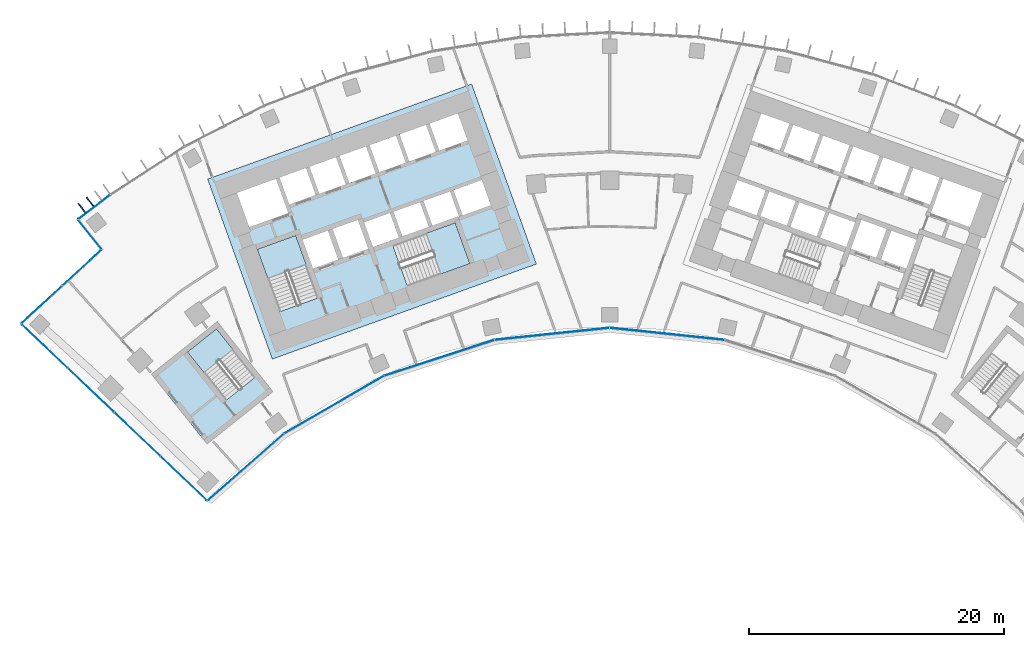
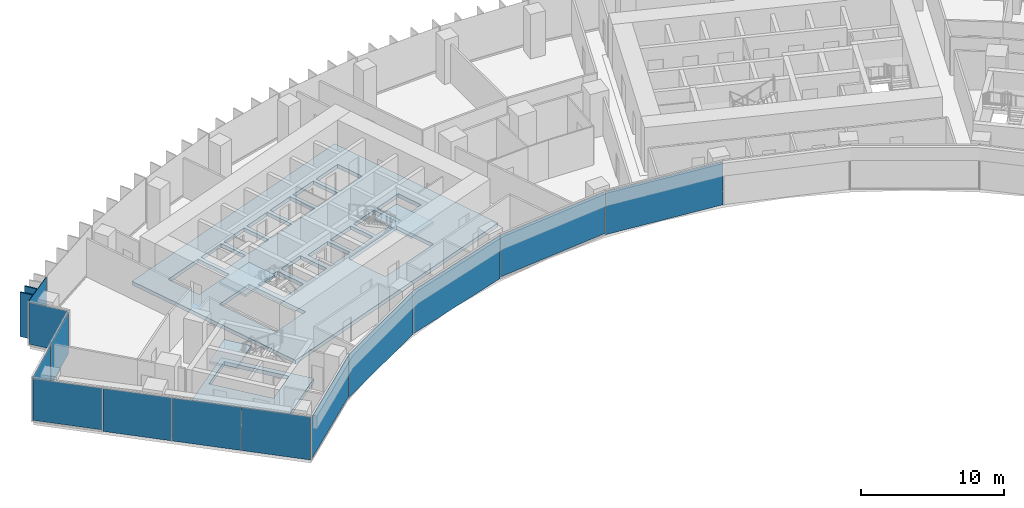
# One storey, part 12 of 22: 15 plates, 5 slabs, 8 elements without a shape of their own.
"""IFC4 building model written with IfcOpenShell, lengths in metres."""

from ifc_helpers import new_model, si_unit, direction, frame, origin, origin_2d, place, context, subcontext, project, spatial, polyline, rectangle, outline, extrude, material, layer, layer_set, type_object, element, aggregate, save


model = new_model("IFC4")

# Units and contexts
model_context = context("Model", 3, precision=1e-05, world=origin(), true_north=direction((0.0, 1.0)))
body_context = subcontext(model_context, "Body", "Model", "MODEL_VIEW")
ifc_project = project(units=[si_unit("LENGTHUNIT", "METRE"), si_unit("AREAUNIT", "SQUARE_METRE"), si_unit("VOLUMEUNIT", "CUBIC_METRE"), si_unit("PLANEANGLEUNIT", "RADIAN"), si_unit("MASSUNIT", "GRAM", prefix="KILO")], contexts=[model_context])

# Site, building, storey
site_placement = place(None, origin())
site = spatial("IfcSite", under=ifc_project, at=site_placement, CompositionType="ELEMENT")
building_placement = place(site_placement, origin())
building = spatial("IfcBuilding", under=site, at=building_placement, Name="Stone Belt Terrace Tower", CompositionType="ELEMENT")
storey_placement = place(building_placement, frame((0.0, 0.0, 132.60009765625)))
storey = spatial("IfcBuildingStorey", under=building, at=storey_placement, Name="L32", CompositionType="ELEMENT", Elevation=132.60009765625)

# Curtain wall, plate
ifc_material_1 = material(Name="Aluminium 6063-T6 anodised frame", Category="aluminium")
ifc_layer_1 = layer(ifc_material_1, 0.14990234375)
ifc_layer_set_1 = layer_set([ifc_layer_1], Name="CW-A unitised convex-face curtain wall")
curtain_wall_type_1 = type_object("IfcCurtainWallType", Name="CW-A unitised convex-face curtain wall", PredefinedType="NOTDEFINED", material=ifc_layer_set_1)
curtain_wall_1_placement = place(storey_placement, origin())
curtain_wall_1 = element("IfcCurtainWall", 1, at=curtain_wall_1_placement, inside=storey, type_object=curtain_wall_type_1, Name="CW-A convex face L32", PredefinedType="NOTDEFINED")
ifc_material_2 = material(Name="Clear double glazed unit")
ifc_layer_2 = layer(ifc_material_2, 0.031982421875)
ifc_layer_set_2 = layer_set([ifc_layer_2], Name="CW-A glass panel 32")
plate_type_1 = type_object("IfcPlateType", Name="CW-A glass panel 32", PredefinedType="CURTAIN_PANEL", material=ifc_layer_set_2)
plate_1_placement = place(storey_placement, frame((-40.394775390625, 52.896240234375, 0.14013671875), z_axis=(0.0, 0.0, 1.0), x_axis=(-0.794905425637, -0.606733355184, 0.0)))
plate_1 = element("IfcPlate", 2, at=plate_1_placement, type_object=plate_type_1, Name="CW-A panel 16.1", PredefinedType="CURTAIN_PANEL", context=body_context, shape_type="SweptSolid", body=[
    extrude(rectangle(XDim=3.1142578125, YDim=0.031982421875, at=origin_2d()), origin(), (0.0, 0.0, 1.0), 3.659912109375),
])
aggregate(curtain_wall_1, [plate_1])

# Curtain wall, plates
ifc_layer_3 = layer(ifc_material_1, 0.14990234375)
ifc_layer_set_3 = layer_set([ifc_layer_3], Name="CW-B unitised concave-face curtain wall")
curtain_wall_type_2 = type_object("IfcCurtainWallType", Name="CW-B unitised concave-face curtain wall", PredefinedType="NOTDEFINED", material=ifc_layer_set_3)
curtain_wall_2_placement = place(storey_placement, origin())
curtain_wall_2 = element("IfcCurtainWall", 3, at=curtain_wall_2_placement, inside=storey, type_object=curtain_wall_type_2, Name="CW-B concave face L32", PredefinedType="NOTDEFINED")
ifc_layer_4 = layer(ifc_material_2, 0.030029296875)
ifc_layer_set_4 = layer_set([ifc_layer_4], Name="CW-B glass panel 30")
plate_type_2 = type_object("IfcPlateType", Name="CW-B glass panel 30", PredefinedType="CURTAIN_PANEL", material=ifc_layer_set_4)
plate_2_placement = place(storey_placement, frame((-28.516357421875, 32.509033203125, 0.119873046875), z_axis=(0.0, 0.0, 1.0), x_axis=(0.752060320301, 0.659094283566, 0.0)))
plate_2 = element("IfcPlate", 4, at=plate_2_placement, type_object=plate_type_2, Name="CW-B panel 1.1", PredefinedType="CURTAIN_PANEL", context=body_context, shape_type="SweptSolid", body=[
    extrude(rectangle(XDim=7.8916015625, YDim=0.030029296875, at=origin_2d()), origin(), (0.0, 0.0, 1.0), 3.56005859375),
])
plate_3_placement = place(storey_placement, frame((-21.59375, 37.400634765625, 0.0), z_axis=(0.0, 0.0, 1.0), x_axis=(0.866025403784, 0.5, 0.0)))
plate_3 = element("IfcPlate", 5, at=plate_3_placement, type_object=plate_type_2, Name="CW-B panel 2.1", PredefinedType="CURTAIN_PANEL", context=body_context, shape_type="SweptSolid", body=[
    extrude(rectangle(XDim=9.013916015625, YDim=0.030029296875, at=origin_2d()), origin(), (0.0, 0.0, 1.0), 3.679931640625),
])
plate_4_placement = place(storey_placement, frame((-13.345458984375, 41.072998046875, 0.0), z_axis=(0.0, 0.0, 1.0), x_axis=(0.951056516295, 0.309016994375, 0.0)))
plate_4 = element("IfcPlate", 6, at=plate_4_placement, type_object=plate_type_2, Name="CW-B panel 3.1", PredefinedType="CURTAIN_PANEL", context=body_context, shape_type="SweptSolid", body=[
    extrude(rectangle(XDim=9.0126953125, YDim=0.030029296875, at=origin_2d()), origin(), (0.0, 0.0, 1.0), 3.679931640625),
])
plate_5_placement = place(storey_placement, frame((-4.51416015625, 42.9501953125, 0.119873046875), z_axis=(0.0, 0.0, 1.0), x_axis=(0.994521895368, 0.104528463268, 0.0)))
plate_5 = element("IfcPlate", 7, at=plate_5_placement, type_object=plate_type_2, Name="CW-B panel 4.1", PredefinedType="CURTAIN_PANEL", context=body_context, shape_type="SweptSolid", body=[
    extrude(rectangle(XDim=9.0126953125, YDim=0.030029296875, at=origin_2d()), origin(), (0.0, 0.0, 1.0), 3.56005859375),
])
plate_6_placement = place(storey_placement, frame((4.51416015625, 42.9501953125, 0.0), z_axis=(0.0, 0.0, 1.0), x_axis=(0.994521895368, -0.104528463268, 0.0)))
plate_6 = element("IfcPlate", 8, at=plate_6_placement, type_object=plate_type_2, Name="CW-B panel 5.1", PredefinedType="CURTAIN_PANEL", context=body_context, shape_type="SweptSolid", body=[
    extrude(rectangle(XDim=9.0126953125, YDim=0.030029296875, at=origin_2d()), origin(), (0.0, 0.0, 1.0), 3.679931640625),
])
aggregate(curtain_wall_2, [plate_2, plate_3, plate_4, plate_5, plate_6])

# Curtain wall, plate
ifc_layer_5 = layer(ifc_material_1, 0.14990234375)
ifc_layer_set_5 = layer_set([ifc_layer_5], Name="CW-C stick curtain wall, horn ends and notches")
curtain_wall_type_3 = type_object("IfcCurtainWallType", Name="CW-C stick curtain wall, horn ends and notches", PredefinedType="NOTDEFINED", material=ifc_layer_set_5)
curtain_wall_3_placement = place(storey_placement, origin())
curtain_wall_3 = element("IfcCurtainWall", 9, at=curtain_wall_3_placement, inside=storey, type_object=curtain_wall_type_3, Name="CW-C notch face L32", PredefinedType="NOTDEFINED")
ifc_layer_6 = layer(ifc_material_2, 0.028076171875)
ifc_layer_set_6 = layer_set([ifc_layer_6], Name="CW-C glass panel 28")
plate_type_3 = type_object("IfcPlateType", Name="CW-C glass panel 28", PredefinedType="CURTAIN_PANEL", material=ifc_layer_set_6)
plate_7_placement = place(storey_placement, frame((-40.751220703125, 50.732666015625, 0.119873046875), z_axis=(0.0, 0.0, 1.0), x_axis=(0.625342799553, -0.780350166943, 0.0)))
plate_7 = element("IfcPlate", 10, at=plate_7_placement, type_object=plate_type_3, Name="CW-C panel 1.1", PredefinedType="CURTAIN_PANEL", context=body_context, shape_type="SweptSolid", body=[
    extrude(rectangle(XDim=2.85888671875, YDim=0.028076171875, at=origin_2d()), origin(), (0.0, 0.0, 1.0), 3.56005859375),
])
aggregate(curtain_wall_3, [plate_7])

# Curtain wall, plates
curtain_wall_4_placement = place(storey_placement, origin())
curtain_wall_4 = element("IfcCurtainWall", 11, at=curtain_wall_4_placement, inside=storey, type_object=curtain_wall_type_3, Name="CW-C notch face L32", PredefinedType="NOTDEFINED")
plate_8_placement = place(storey_placement, frame((-41.38232421875, 48.116455078125, 0.119873046875), z_axis=(0.0, 0.0, 1.0), x_axis=(-0.736280049148, -0.676676945985, 0.0)))
plate_8 = element("IfcPlate", 12, at=plate_8_placement, type_object=plate_type_3, Name="CW-C panel 1.1", PredefinedType="CURTAIN_PANEL", context=body_context, shape_type="SweptSolid", body=[
    extrude(rectangle(XDim=4.12060546875, YDim=0.028076171875, at=origin_2d()), origin(), (0.0, 0.0, 1.0), 3.56005859375),
])
plate_9_placement = place(storey_placement, frame((-44.514892578125, 45.237548828125, 0.0), z_axis=(0.0, 0.0, 1.0), x_axis=(-0.736280049148, -0.676676945985, 0.0)))
plate_9 = element("IfcPlate", 13, at=plate_9_placement, type_object=plate_type_3, Name="CW-C panel 2.1", PredefinedType="CURTAIN_PANEL", context=body_context, shape_type="SweptSolid", body=[
    extrude(rectangle(XDim=4.268798828125, YDim=0.028076171875, at=origin_2d()), origin(), (0.0, 0.0, 1.0), 3.679931640625),
])
aggregate(curtain_wall_4, [plate_8, plate_9])

curtain_wall_5_placement = place(storey_placement, origin())
curtain_wall_5 = element("IfcCurtainWall", 14, at=curtain_wall_5_placement, inside=storey, type_object=curtain_wall_type_3, Name="CW-C end face L32", PredefinedType="NOTDEFINED")
plate_10_placement = place(storey_placement, frame((-44.2841796875, 41.976806640625, 0.119873046875), z_axis=(0.0, 0.0, 1.0), x_axis=(0.72491369175, -0.688839705238, 0.0)))
plate_10 = element("IfcPlate", 15, at=plate_10_placement, type_object=plate_type_3, Name="CW-C panel 1.1", PredefinedType="CURTAIN_PANEL", context=body_context, shape_type="SweptSolid", body=[
    extrude(rectangle(XDim=4.974853515625, YDim=0.028076171875, at=origin_2d()), origin(), (0.0, 0.0, 1.0), 3.56005859375),
])
plate_11_placement = place(storey_placement, frame((-40.646728515625, 38.520751953125, 0.0), z_axis=(0.0, 0.0, 1.0), x_axis=(0.72491369175, -0.688839705238, 0.0)))
plate_11 = element("IfcPlate", 16, at=plate_11_placement, type_object=plate_type_3, Name="CW-C panel 2.1", PredefinedType="CURTAIN_PANEL", context=body_context, shape_type="SweptSolid", body=[
    extrude(rectangle(XDim=4.93994140625, YDim=0.028076171875, at=origin_2d()), origin(), (0.0, 0.0, 1.0), 3.679931640625),
])
plate_12_placement = place(storey_placement, frame((-37.022216796875, 35.076416015625, 0.0), z_axis=(0.0, 0.0, 1.0), x_axis=(0.72491369175, -0.688839705238, 0.0)))
plate_12 = element("IfcPlate", 17, at=plate_12_placement, type_object=plate_type_3, Name="CW-C panel 3.1", PredefinedType="CURTAIN_PANEL", context=body_context, shape_type="SweptSolid", body=[
    extrude(rectangle(XDim=4.93994140625, YDim=0.028076171875, at=origin_2d()), origin(), (0.0, 0.0, 1.0), 3.679931640625),
])
plate_13_placement = place(storey_placement, frame((-33.388427734375, 31.623291015625, 0.0), z_axis=(0.0, 0.0, 1.0), x_axis=(0.72491369175, -0.688839705238, 0.0)))
plate_13 = element("IfcPlate", 18, at=plate_13_placement, type_object=plate_type_3, Name="CW-C panel 4.1", PredefinedType="CURTAIN_PANEL", context=body_context, shape_type="SweptSolid", body=[
    extrude(rectangle(XDim=4.9658203125, YDim=0.028076171875, at=origin_2d()), origin(), (0.0, 0.0, 1.0), 3.679931640625),
])
aggregate(curtain_wall_5, [plate_10, plate_11, plate_12, plate_13])

# Slabs
ifc_material_3 = material(Name="Concrete B40", Category="concrete")
ifc_layer_7 = layer(ifc_material_3, 0.320068359375)
ifc_layer_set_7 = layer_set([ifc_layer_7], Name="Core floor slab 320")
slab_type_1 = type_object("IfcSlabType", Name="Core floor slab 320", PredefinedType="FLOOR", material=ifc_layer_set_7)
slab_1_placement = place(storey_placement, frame((0.0, 0.0, -0.320068359375)))
element("IfcSlab", 19, at=slab_1_placement, inside=storey, type_object=slab_type_1, Name="Core A floor L32", PredefinedType="FLOOR", context=body_context, shape_type="SweptSolid", body=[
    extrude(outline(polyline([(-26.43505859375, 40.968994140625), (-5.735107421875, 48.4189453125), (-10.81396484375, 62.531982421875), (-31.513916015625, 55.0830078125), (-26.43505859375, 40.968994140625)]), holes=[polyline([(-24.60791015625, 50.659912109375), (-22.847900390625, 45.76806640625), (-25.85888671875, 44.68408203125), (-27.618896484375, 49.575927734375), (-24.60791015625, 50.659912109375)]), polyline([(-21.27392578125, 48.778076171875), (-23.25, 48.06689453125), (-24.06298828125, 50.324951171875), (-22.0869140625, 51.035888671875), (-21.27392578125, 48.778076171875)]), polyline([(-18.922119140625, 49.6240234375), (-20.89794921875, 48.9130859375), (-21.7109375, 51.1708984375), (-19.735107421875, 51.883056640625), (-18.922119140625, 49.6240234375)]), polyline([(-19.239990234375, 51.68896484375), (-17.217041015625, 52.4169921875), (-16.52294921875, 50.488037109375), (-18.5458984375, 49.760009765625), (-19.239990234375, 51.68896484375)]), polyline([(-29.2109375, 53.9990234375), (-26.153076171875, 55.09912109375), (-25.18798828125, 52.41796875), (-28.24609375, 51.31689453125), (-29.2109375, 53.9990234375)]), polyline([(-23.801025390625, 55.946044921875), (-23.0390625, 53.8291015625), (-25.10888671875, 53.083984375), (-25.87109375, 55.200927734375), (-23.801025390625, 55.946044921875)]), polyline([(-21.447998046875, 56.7919921875), (-20.68603515625, 54.675048828125), (-22.756103515625, 53.929931640625), (-23.51806640625, 56.047119140625), (-21.447998046875, 56.7919921875)]), polyline([(-19.095947265625, 57.638916015625), (-18.333984375, 55.52197265625), (-20.404052734375, 54.777099609375), (-21.166015625, 56.89404296875), (-19.095947265625, 57.638916015625)]), polyline([(-15.846923828125, 46.69189453125), (-16.998046875, 49.89208984375), (-12.10595703125, 51.652099609375), (-10.955078125, 48.452880859375), (-15.846923828125, 46.69189453125)]), polyline([(-16.239990234375, 50.589111328125), (-16.93408203125, 52.51806640625), (-14.864013671875, 53.262939453125), (-14.169921875, 51.333984375), (-16.239990234375, 50.589111328125)]), polyline([(-11.801025390625, 52.134033203125), (-11.847900390625, 52.116943359375), (-11.864990234375, 52.1640625), (-13.887939453125, 51.43603515625), (-14.58203125, 53.364990234375), (-12.511962890625, 54.110107421875), (-11.801025390625, 52.134033203125)]), polyline([(-9.30810546875, 53.031005859375), (-11.51904296875, 52.235107421875), (-12.22998046875, 54.2109375), (-10.01904296875, 55.007080078125), (-9.30810546875, 53.031005859375)]), polyline([(-16.743896484375, 58.485107421875), (-15.98193359375, 56.367919921875), (-18.052001953125, 55.623046875), (-18.81396484375, 57.739990234375), (-16.743896484375, 58.485107421875)]), polyline([(-14.39111328125, 59.33203125), (-13.6298828125, 57.215087890625), (-15.699951171875, 56.469970703125), (-16.4609375, 58.5869140625), (-14.39111328125, 59.33203125)]), polyline([(-11.89794921875, 60.22900390625), (-11.135986328125, 58.112060546875), (-13.346923828125, 57.31591796875), (-14.10888671875, 59.43408203125), (-11.89794921875, 60.22900390625)])]), origin(), (0.0, 0.0, 1.0), 0.320068359375),
])
slab_2_placement = place(storey_placement, frame((0.0, 0.0, -0.320068359375)))
element("IfcSlab", 20, at=slab_2_placement, inside=storey, type_object=slab_type_1, Name="Exit stair ST3A floor L32", PredefinedType="FLOOR", context=body_context, shape_type="SweptSolid", body=[
    extrude(outline(polyline([(-26.39404296875, 38.425048828125), (-30.756103515625, 43.89990234375), (-35.91796875, 39.787109375), (-31.555908203125, 34.31298828125), (-26.39404296875, 38.425048828125)]), holes=[polyline([(-27.798095703125, 39.544921875), (-30.06591796875, 37.738037109375), (-33.087890625, 41.531005859375), (-30.820068359375, 43.337890625), (-27.798095703125, 39.544921875)])]), origin(), (0.0, 0.0, 1.0), 0.320068359375),
])

# Stair, slab
stair_type = type_object("IfcStairType", Name="Exit stair 1500", PredefinedType="HALF_TURN_STAIR", material=ifc_material_3)
stair_1_placement = place(storey_placement, origin())
stair_1 = element("IfcStair", 21, at=stair_1_placement, inside=storey, type_object=stair_type, Name="L32 Exit stair 1 core A", PredefinedType="HALF_TURN_STAIR")
ifc_layer_8 = layer(ifc_material_3, 0.199951171875)
ifc_layer_set_8 = layer_set([ifc_layer_8], Name="Stair landing 200")
slab_type_2 = type_object("IfcSlabType", Name="Stair landing 200", PredefinedType="LANDING", material=ifc_layer_set_8)
slab_3_placement = place(storey_placement, frame((0.0, 0.0, 1.699951171875)))
slab_3 = element("IfcSlab", 22, at=slab_3_placement, type_object=slab_type_2, Name="ST1A landing 1", PredefinedType="LANDING", context=body_context, shape_type="SweptSolid", body=[
    extrude(outline(polyline([(-23.79541015625, 48.40087890625), (-24.6083984375, 50.659912109375), (-27.619384765625, 49.576171875), (-26.806396484375, 47.3173828125), (-23.79541015625, 48.40087890625)])), origin(), (0.0, 0.0, 1.0), 0.199951171875),
])
aggregate(stair_1, [slab_3])

stair_2_placement = place(storey_placement, origin())
stair_2 = element("IfcStair", 23, at=stair_2_placement, inside=storey, type_object=stair_type, Name="L32 Exit stair 2 core A", PredefinedType="HALF_TURN_STAIR")
slab_4_placement = place(storey_placement, frame((0.0, 0.0, 1.699951171875)))
slab_4 = element("IfcSlab", 24, at=slab_4_placement, type_object=slab_type_2, Name="ST2A landing 1", PredefinedType="LANDING", context=body_context, shape_type="SweptSolid", body=[
    extrude(outline(polyline([(-13.213623046875, 47.64013671875), (-10.95458984375, 48.453125), (-12.10595703125, 51.652099609375), (-14.36474609375, 50.839111328125), (-13.213623046875, 47.64013671875)])), origin(), (0.0, 0.0, 1.0), 0.199951171875),
])
aggregate(stair_2, [slab_4])

stair_3_placement = place(storey_placement, origin())
stair_3 = element("IfcStair", 25, at=stair_3_placement, inside=storey, type_object=stair_type, Name="L32 Exit stair 3A", PredefinedType="HALF_TURN_STAIR")
slab_5_placement = place(storey_placement, frame((0.0, 0.0, 1.699951171875)))
slab_5 = element("IfcSlab", 26, at=slab_5_placement, type_object=slab_type_2, Name="ST3A landing 1", PredefinedType="LANDING", context=body_context, shape_type="SweptSolid", body=[
    extrude(outline(polyline([(-29.541748046875, 41.73388671875), (-30.819580078125, 43.337890625), (-33.087646484375, 41.53076171875), (-31.809814453125, 39.9267578125), (-29.541748046875, 41.73388671875)])), origin(), (0.0, 0.0, 1.0), 0.199951171875),
])
aggregate(stair_3, [slab_5])

# Plates
ifc_material_4 = material(Name="Terracotta coloured glazed ceramic", Category="masonry")
ifc_layer_9 = layer(ifc_material_4, 0.10009765625)
ifc_layer_set_9 = layer_set([ifc_layer_9], Name="Terracotta fin 100 x 900")
plate_type_4 = type_object("IfcPlateType", Name="Terracotta fin 100 x 900", PredefinedType="SHEET", material=ifc_layer_set_9)
for number, where, z_axis, x_axis, name in (
    (27, (-40.72998046875, 53.301025390625, 0.0), (0.0, 0.0, 1.0), (-0.606733355184, 0.794905425637, 0.0), "FIN L32 16.3"),
    (28, (-41.3701171875, 52.812255859375, 0.0), (0.0, 0.0, 1.0), (-0.606733355184, 0.794905425637, 0.0), "FIN L32 16.4"),
):
    element("IfcPlate", number, at=place(storey_placement, frame(where, z_axis=z_axis, x_axis=x_axis)), inside=storey, type_object=plate_type_4, Name=name, PredefinedType="SHEET", context=body_context, shape_type="SweptSolid", body=[
        extrude(rectangle(XDim=0.89990234375, YDim=0.10009765625, at=origin_2d()), origin(), (0.0, 0.0, 1.0), 3.800048828125),
    ])

save(model, "model.ifc")
